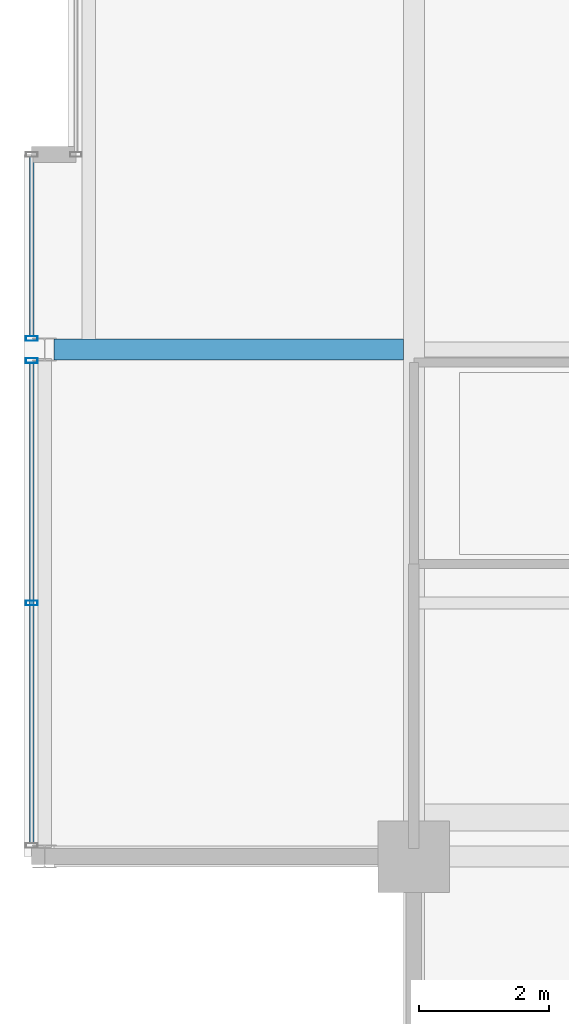
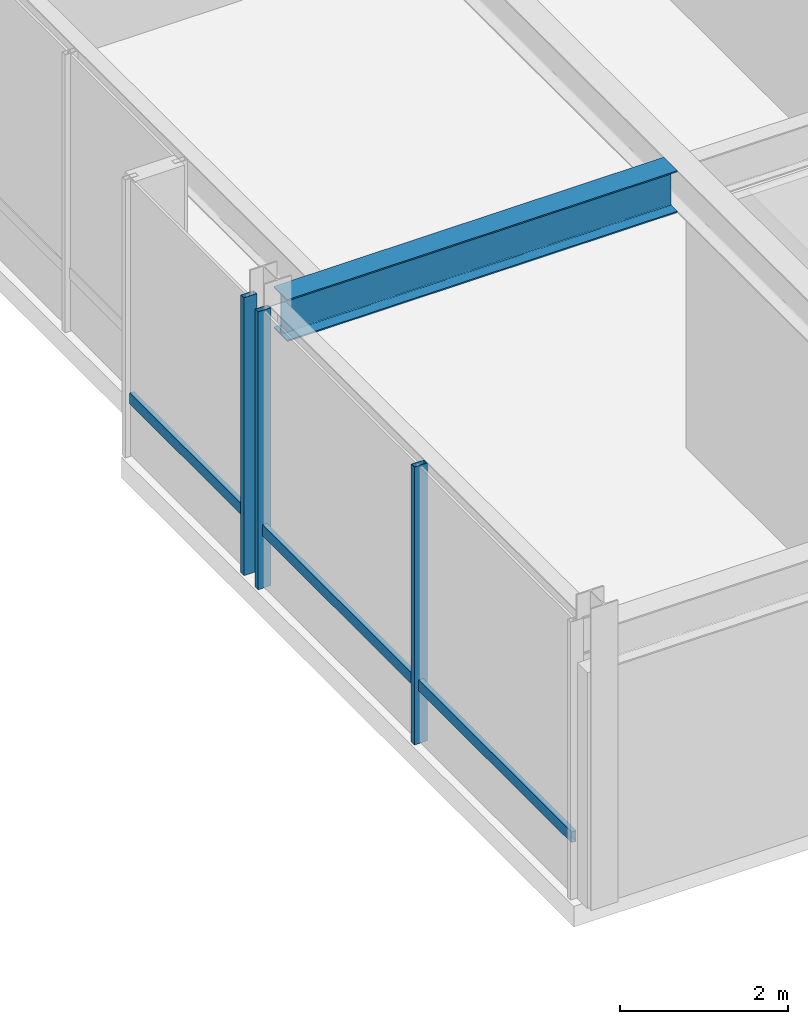
# One storey, part 6 of 33: 5 members, 1 beam, 2 elements without a shape of their own.
"""IFC4 building model written with IfcOpenShell, lengths in metres."""

from ifc_helpers import new_model, si_unit, direction, frame, origin, origin_2d, place, context, subcontext, project, spatial, hollow_rectangle, i_section, extrude, material, layer, layer_set, material_profile, profile_set, type_object, element, aggregate, save


model = new_model("IFC4")

# Units and contexts
model_context = context("Model", 3, precision=1e-05, world=origin(), true_north=direction((0.0, 1.0)))
body_context = subcontext(model_context, "Body", "Model", "MODEL_VIEW")
ifc_project = project(units=[si_unit("LENGTHUNIT", "METRE"), si_unit("AREAUNIT", "SQUARE_METRE"), si_unit("VOLUMEUNIT", "CUBIC_METRE"), si_unit("PLANEANGLEUNIT", "RADIAN"), si_unit("MASSUNIT", "GRAM", prefix="KILO")], contexts=[model_context])

# Site, building, storey
site_placement = place(None, origin())
site = spatial("IfcSite", under=ifc_project, at=site_placement, CompositionType="ELEMENT")
building_placement = place(site_placement, origin())
building = spatial("IfcBuilding", under=site, at=building_placement, Name="Drelvath Grand Hotel", CompositionType="ELEMENT")
storey_placement = place(building_placement, frame((0.0, 0.0, 298.60009765625)))
storey = spatial("IfcBuildingStorey", under=building, at=storey_placement, Name="L78", CompositionType="ELEMENT", Elevation=298.60009765625)

# Curtain wall, member
ifc_material_1 = material(Name="Platinum-Mist Anodised Aluminium Frame", Category="aluminium")
ifc_layer = layer(ifc_material_1, 0.199951171875)
ifc_layer_set = layer_set([ifc_layer], Name="Platinum-Mist Anodised Aluminium Frame")
curtain_wall_type = type_object("IfcCurtainWallType", Name="Stick Curtain Wall CW-05 Platinum Mist High-Rise", PredefinedType="NOTDEFINED", material=ifc_layer_set)
curtain_wall_1_placement = place(storey_placement, origin())
curtain_wall_1 = element("IfcCurtainWall", 1, at=curtain_wall_1_placement, inside=storey, type_object=curtain_wall_type, Name="L78 CW-05 Curtain Wall CW05-L78-WS1", PredefinedType="NOTDEFINED")
ifc_material_profile_1 = material_profile(ifc_material_1, hollow_rectangle(XDim=0.06494140625, YDim=0.159912109375, WallThickness=0.00390625, at=origin_2d()), Name="HSS160X65X4")
ifc_profile_set_1 = profile_set([ifc_material_profile_1], Name="Platinum-Mist Anodised Aluminium Frame")
member_type_1 = type_object("IfcMemberType", Name="Curtain Wall Horizontal Transom CW-05 HSS160X65X4", PredefinedType="USERDEFINED", material=ifc_profile_set_1)
member_1_placement = place(storey_placement, frame((-22.080078125, 11.010009765625, 0.849853515625), z_axis=(0.0, 1.0, 0.0), x_axis=(-1.0, 0.0, 0.0)))
member_1 = element("IfcMember", 2, at=member_1_placement, type_object=member_type_1, Name="CW05-L78-WS1 Sill Transom", ObjectType="TRANSOM", PredefinedType="USERDEFINED", context=body_context, shape_type="SweptSolid", body=[
    extrude(hollow_rectangle(XDim=0.06494140625, YDim=0.159912109375, WallThickness=0.00390625, at=origin_2d()), origin(), (0.0, 0.0, 1.0), 7.3798828125),
])

curtain_wall_2_placement = place(storey_placement, origin())
curtain_wall_2 = element("IfcCurtainWall", 3, at=curtain_wall_2_placement, inside=storey, type_object=curtain_wall_type, Name="L78 CW-05 Curtain Wall CW05-L78-WS2", PredefinedType="NOTDEFINED")
member_2_placement = place(storey_placement, frame((-22.080078125, 18.81005859375, 0.849853515625), z_axis=(0.0, 1.0, 0.0), x_axis=(-1.0, 0.0, 0.0)))
member_2 = element("IfcMember", 4, at=member_2_placement, type_object=member_type_1, Name="CW05-L78-WS2 Sill Transom", ObjectType="TRANSOM", PredefinedType="USERDEFINED", context=body_context, shape_type="SweptSolid", body=[
    extrude(hollow_rectangle(XDim=0.06494140625, YDim=0.159912109375, WallThickness=0.00390625, at=origin_2d()), origin(), (0.0, 0.0, 1.0), 2.75),
])

# Member
ifc_material_profile_2 = material_profile(ifc_material_1, hollow_rectangle(XDim=0.074951171875, YDim=0.179931640625, WallThickness=0.0048828125, at=origin_2d()), Name="HSS180X75X5")
ifc_profile_set_2 = profile_set([ifc_material_profile_2], Name="Platinum-Mist Anodised Aluminium Frame")
member_type_2 = type_object("IfcMemberType", Name="Curtain Wall Vertical Mullion CW-05 HSS180X75X5", PredefinedType="MULLION", material=ifc_profile_set_2)
member_3_placement = place(storey_placement, frame((-22.080078125, 14.7001953125, 0.0), z_axis=(0.0, 0.0, 1.0), x_axis=(0.0, 1.0, 0.0)))
member_3 = element("IfcMember", 5, at=member_3_placement, type_object=member_type_2, Name="CW05-L78-WS1 Mullion 2", PredefinedType="MULLION", context=body_context, shape_type="SweptSolid", body=[
    extrude(hollow_rectangle(XDim=0.074951171875, YDim=0.179931640625, WallThickness=0.0048828125, at=origin_2d()), origin(), (0.0, 0.0, 1.0), 4.0498046875),
])

member_4_placement = place(storey_placement, frame((-22.080078125, 18.429931640625, 0.0), z_axis=(0.0, 0.0, 1.0), x_axis=(0.0, 1.0, 0.0)))
member_4 = element("IfcMember", 6, at=member_4_placement, type_object=member_type_2, Name="CW05-L78-WS1 Mullion 3", PredefinedType="MULLION", context=body_context, shape_type="SweptSolid", body=[
    extrude(hollow_rectangle(XDim=0.074951171875, YDim=0.179931640625, WallThickness=0.0048828125, at=origin_2d()), origin(), (0.0, 0.0, 1.0), 4.0498046875),
])

aggregate(curtain_wall_1, [member_3, member_4, member_1])

member_5_placement = place(storey_placement, frame((-22.080078125, 18.77001953125, 0.0), z_axis=(0.0, 0.0, 1.0), x_axis=(0.0, 1.0, 0.0)))
member_5 = element("IfcMember", 7, at=member_5_placement, type_object=member_type_2, Name="CW05-L78-WS2 Mullion 1", PredefinedType="MULLION", context=body_context, shape_type="SweptSolid", body=[
    extrude(hollow_rectangle(XDim=0.074951171875, YDim=0.179931640625, WallThickness=0.0048828125, at=origin_2d()), origin(), (0.0, 0.0, 1.0), 4.0498046875),
])

aggregate(curtain_wall_2, [member_5, member_2])

# Beam
ifc_material_2 = material(Name="Steel ASTM A992 Gr 50", Category="steel")
ifc_material_profile_3 = material_profile(ifc_material_2, i_section(OverallWidth=0.323974609375, OverallDepth=0.611083984375, WebThickness=0.0126953125, FlangeThickness=0.01904296875, FilletRadius=0.02197265625, at=origin_2d()), Name="W24X104")
ifc_profile_set_3 = profile_set([ifc_material_profile_3], Name="Steel ASTM A992 Gr 50")
beam_type = type_object("IfcBeamType", Name="Primary Floor Girder W24X104", PredefinedType="BEAM", material=ifc_profile_set_3)
beam_placement = place(storey_placement, frame((-21.739990234375, 18.60009765625, 3.744384765625), z_axis=(1.0, 0.0, 0.0), x_axis=(0.0, 1.0, 0.0)))
element("IfcBeam", 8, at=beam_placement, inside=storey, type_object=beam_type, Name="L78 West Wing Girder D", PredefinedType="BEAM", context=body_context, shape_type="SweptSolid", body=[
    extrude(i_section(OverallWidth=0.323974609375, OverallDepth=0.611083984375, WebThickness=0.0126953125, FlangeThickness=0.01904296875, FilletRadius=0.02197265625, at=origin_2d()), origin(), (0.0, 0.0, 1.0), 5.3779296875),
])

save(model, "model.ifc")
